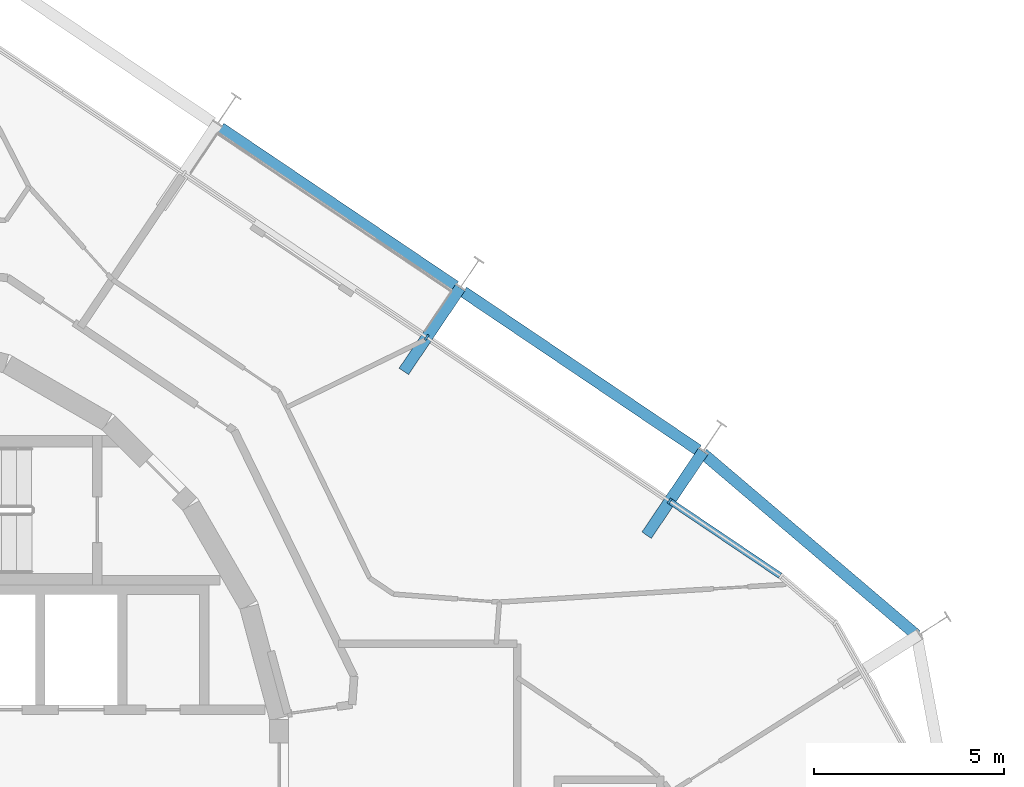
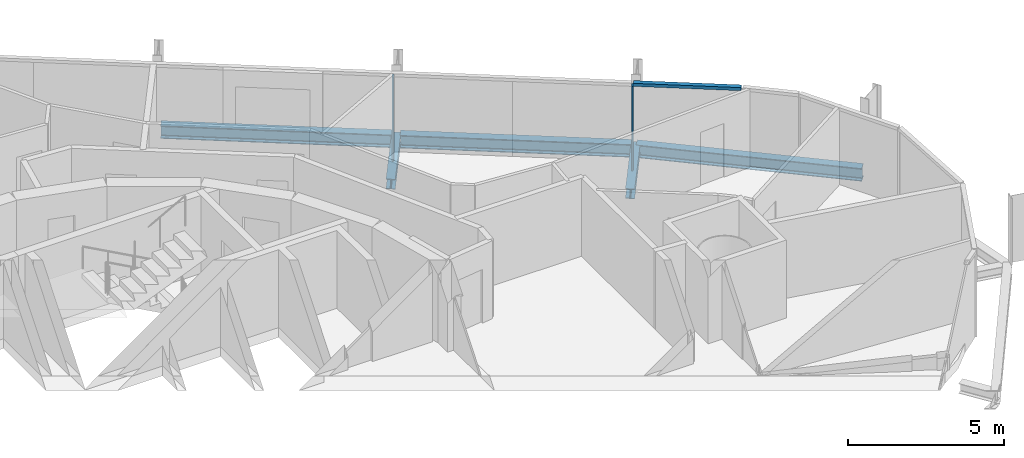
# One storey, part 9 of 17: 5 beams, 3 members, 2 elements without a shape of their own.
"""IFC4 building model written with IfcOpenShell, lengths in metres."""

import ifcopenshell
import ifcopenshell.guid

model = None  # the IFC model being written
_history = None  # IfcOwnerHistory: only IFC2X3 demands one
_inside = {}  # id of a spatial element -> (the spatial element, [elements in it])
_under = {}  # id of a project, library or spatial element -> (it, [spatial elements below it])
_declared = {}  # id of a project -> (the project, [libraries it declares])
_typed = {}  # id of a type object -> (the type object, [elements of that type])
_made_of = {}  # id of a material, layer set ... -> (it, [elements and type objects made of it])


def new_model(schema):
    """Start an empty IFC model of exactly this schema.

    Asked for "IFC4X3", IfcOpenShell would pick the latest addendum, in which some entities
    have other attributes; the version numbers below select the first issue.
    IFC2X3 requires an IfcOwnerHistory on every rooted entity: one is made here for all.
    """
    global model, _history
    if schema == "IFC4X3":
        model = ifcopenshell.file(schema_version=(4, 3, 0, 0))
    else:
        model = ifcopenshell.file(schema=schema)
    _inside.clear()
    _under.clear()
    _declared.clear()
    _typed.clear()
    _made_of.clear()
    _history = None
    if model.schema == "IFC2X3":
        org = make("IfcOrganization", Name="unknown")
        user = make(
            "IfcPersonAndOrganization",
            ThePerson=make("IfcPerson", FamilyName="unknown"),
            TheOrganization=org,
        )
        app = make(
            "IfcApplication",
            ApplicationDeveloper=org,
            Version="unknown",
            ApplicationFullName="unknown",
            ApplicationIdentifier="unknown",
        )
        _history = make(
            "IfcOwnerHistory",
            OwningUser=user,
            OwningApplication=app,
            ChangeAction="ADDED",
            CreationDate=0,
        )
    return model


def make(cls, **values):
    """One entity of the class cls with the attributes given. An attribute that is None is left unset."""
    return model.create_entity(
        cls, **{name: value for name, value in values.items() if value is not None}
    )


def rooted(cls, **values):
    """An entity with a GlobalId (a new one), such as an element, a storey or a relation."""
    return make(cls, GlobalId=ifcopenshell.guid.new(), OwnerHistory=_history, **values)


def si_unit(unit_type, name, prefix=None):
    """IfcSIUnit, for example si_unit("LENGTHUNIT", "METRE", prefix="MILLI")."""
    return make("IfcSIUnit", UnitType=unit_type, Prefix=prefix, Name=name)


def assignment(units):
    """IfcUnitAssignment: the units of a project."""
    return None if units is None else make("IfcUnitAssignment", Units=units)


def point(xyz):
    """IfcCartesianPoint."""
    return None if xyz is None else make("IfcCartesianPoint", Coordinates=xyz)


def direction(xyz):
    """IfcDirection."""
    return None if xyz is None else make("IfcDirection", DirectionRatios=xyz)


def frame(location, z_axis=None, x_axis=None):
    """IfcAxis2Placement3D, a coordinate frame: its origin and axes. An axis left out is left unset."""
    return make(
        "IfcAxis2Placement3D",
        Location=point(location),
        Axis=direction(z_axis),
        RefDirection=direction(x_axis),
    )


def frame_2d(location, x_axis=None):
    """IfcAxis2Placement2D, a coordinate frame in the plane: its origin and x axis."""
    return make(
        "IfcAxis2Placement2D", Location=point(location), RefDirection=direction(x_axis)
    )


def origin():
    """The frame at (0, 0, 0) with its axes left unset."""
    return frame((0.0, 0.0, 0.0))


def origin_2d():
    """The frame at (0, 0) in the plane with its x axis left unset."""
    return frame_2d((0.0, 0.0))


def place(relative_to, where):
    """IfcLocalPlacement: puts the frame where relative to a parent placement (None: the world)."""
    return make(
        "IfcLocalPlacement", PlacementRelTo=relative_to, RelativePlacement=where
    )


def context(
    kind, dimensions, precision=None, world=None, true_north=None, identifier=None
):
    """IfcGeometricRepresentationContext, for example the 3D "Model" context."""
    return make(
        "IfcGeometricRepresentationContext",
        ContextIdentifier=identifier,
        ContextType=kind,
        CoordinateSpaceDimension=dimensions,
        Precision=precision,
        WorldCoordinateSystem=world,
        TrueNorth=true_north,
    )


def subcontext(parent, identifier, kind, view, scale=None):
    """IfcGeometricRepresentationSubContext, for example "Body" below "Model"."""
    return make(
        "IfcGeometricRepresentationSubContext",
        ContextIdentifier=identifier,
        ContextType=kind,
        ParentContext=parent,
        TargetScale=scale,
        TargetView=view,
    )


def project(units=None, contexts=None):
    """IfcProject with its units and contexts."""
    return rooted(
        "IfcProject",
        Name="project",
        RepresentationContexts=contexts,
        UnitsInContext=assignment(units),
    )


def spatial(cls, under=None, at=None, **own):
    """A site, building, storey or space (cls), placed at a placement, below another one or the project."""
    s = rooted(cls, ObjectPlacement=at, **own)
    if under is not None:
        _under.setdefault(under.id(), (under, []))[1].append(s)
    return s


def profile(cls, at=None, kind="AREA", **sizes):
    """A parametric profile (cls). Its sizes go by their IFC names, for example OverallWidth=200.0."""
    return make(cls, ProfileType=kind, Position=at, **sizes)


def rectangle(**sizes):
    """IfcRectangleProfileDef."""
    return profile("IfcRectangleProfileDef", **sizes)


def i_section(**sizes):
    """IfcIShapeProfileDef."""
    return profile("IfcIShapeProfileDef", **sizes)


def extrude(swept, where, along, depth):
    """IfcExtrudedAreaSolid: the profile swept, set in the frame where, extruded along a direction by depth."""
    return make(
        "IfcExtrudedAreaSolid",
        SweptArea=swept,
        Position=where,
        ExtrudedDirection=direction(along),
        Depth=depth,
    )


def shape(context_of_items, identifier, shape_type, items):
    """IfcShapeRepresentation: the items that make up one representation, for example the "Body"."""
    return make(
        "IfcShapeRepresentation",
        ContextOfItems=context_of_items,
        RepresentationIdentifier=identifier,
        RepresentationType=shape_type,
        Items=items,
    )


def material(Name=None, Category=None):
    """IfcMaterial."""
    return make("IfcMaterial", Name=Name, Category=Category)


def layer(
    of_material, thickness, ventilated=None, Name=None, Category=None, Priority=None
):
    """IfcMaterialLayer: one layer of a wall or slab, of a material (None: an air gap)."""
    return make(
        "IfcMaterialLayer",
        Material=of_material,
        LayerThickness=thickness,
        IsVentilated=ventilated,
        Name=Name,
        Category=Category,
        Priority=Priority,
    )


def layer_set(layers, Name=None):
    """IfcMaterialLayerSet."""
    return make("IfcMaterialLayerSet", MaterialLayers=layers, LayerSetName=Name)


def material_profile(
    of_material, cross_section, Name=None, Category=None, Priority=None
):
    """IfcMaterialProfile: a cross section and its material."""
    return make(
        "IfcMaterialProfile",
        Name=Name,
        Material=of_material,
        Profile=cross_section,
        Priority=Priority,
        Category=Category,
    )


def profile_set(profiles, Name=None, composite=None):
    """IfcMaterialProfileSet."""
    return make(
        "IfcMaterialProfileSet",
        Name=Name,
        MaterialProfiles=profiles,
        CompositeProfile=composite,
    )


def made_of(thing, what):
    """Note that an element or type object is made of a material, layer set ...; save() writes the relation."""
    if what is not None:
        _made_of.setdefault(what.id(), (what, []))[1].append(thing)
    return thing


def type_object(cls, material=None, **own):
    """A type object (cls), such as IfcWallType, which elements share."""
    return made_of(rooted(cls, **own), material)


def element(
    cls,
    number,
    at=None,
    inside=None,
    cuts=None,
    type_object=None,
    material=None,
    context=None,
    identifier="Body",
    shape_type=None,
    held_by="IfcProductDefinitionShape",
    body=None,
    shapes=None,
    **own,
):
    """One element of the class cls, such as IfcWall. Its Tag is "e" and its number.

    at: its placement. inside: the storey or other place that contains it. cuts: it is an
    opening in that element (IfcRelVoidsElement). A single representation is given by context,
    identifier, shape_type and body (its items); several are given by shapes. held_by: the class
    of the entity that holds the representations. save() writes the other relations.
    """
    e = rooted(cls, Tag="e%d" % number, ObjectPlacement=at, **own)
    if body is not None:
        shapes = [shape(context, identifier, shape_type, body)]
    if shapes is not None:
        e.Representation = make(held_by, Representations=shapes)
    if inside is not None:
        _inside.setdefault(inside.id(), (inside, []))[1].append(e)
    if cuts is not None:
        rooted(
            "IfcRelVoidsElement", RelatingBuildingElement=cuts, RelatedOpeningElement=e
        )
    if type_object is not None:
        _typed.setdefault(type_object.id(), (type_object, []))[1].append(e)
    return made_of(e, material)


def aggregate(whole, parts):
    """IfcRelAggregates: a whole, such as a stair, and the parts it consists of."""
    return rooted("IfcRelAggregates", RelatingObject=whole, RelatedObjects=parts)


def save(model, path):
    """Write the relations noted so far, then the file.

    IfcRelAggregates (storeys below a building ...), IfcRelContainedInSpatialStructure (elements
    in a storey), IfcRelDefinesByType, IfcRelAssociatesMaterial and IfcRelDeclares: one each for
    every whole, place, type object, material and project.
    """
    for whole, parts in _under.values():
        aggregate(whole, parts)
    for where, things in _inside.values():
        rooted(
            "IfcRelContainedInSpatialStructure",
            RelatedElements=things,
            RelatingStructure=where,
        )
    for kind, things in _typed.values():
        rooted("IfcRelDefinesByType", RelatedObjects=things, RelatingType=kind)
    for what, things in _made_of.values():
        rooted("IfcRelAssociatesMaterial", RelatedObjects=things, RelatingMaterial=what)
    for by, libraries in _declared.values():
        rooted("IfcRelDeclares", RelatingContext=by, RelatedDefinitions=libraries)
    model.write(path)


model = new_model("IFC4")

# Units and contexts
model_context = context("Model", 3, precision=1e-05, world=origin(), true_north=direction((0.0, 1.0)))
body_context = subcontext(model_context, "Body", "Model", "MODEL_VIEW")
ifc_project = project(units=[si_unit("LENGTHUNIT", "METRE"), si_unit("AREAUNIT", "SQUARE_METRE"), si_unit("VOLUMEUNIT", "CUBIC_METRE"), si_unit("PLANEANGLEUNIT", "RADIAN"), si_unit("MASSUNIT", "GRAM", prefix="KILO")], contexts=[model_context])

# Site, building, storey
site_placement = place(None, origin())
site = spatial("IfcSite", under=ifc_project, at=site_placement, CompositionType="ELEMENT")
building_placement = place(site_placement, origin())
building = spatial("IfcBuilding", under=site, at=building_placement, Name="Spindle Arch Residences", CompositionType="ELEMENT")
storey_placement = place(building_placement, frame((0.0, 0.0, 216.39990234375)))
storey = spatial("IfcBuildingStorey", under=building, at=storey_placement, Name="L55", CompositionType="ELEMENT", Elevation=216.39990234375)

# Curtain wall, members
ifc_material_1 = material(Name="Aluminium bronze unitised frame with tinted glass", Category="aluminium")
ifc_layer_1 = layer(ifc_material_1, 0.159912109375)
ifc_layer_set_1 = layer_set([ifc_layer_1], Name="CW-C typical residential unitised wall")
curtain_wall_type_1 = type_object("IfcCurtainWallType", Name="CW-C typical residential unitised wall", PredefinedType="NOTDEFINED", material=ifc_layer_set_1)
curtain_wall_1_placement = place(storey_placement, origin())
curtain_wall_1 = element("IfcCurtainWall", 1, at=curtain_wall_1_placement, inside=storey, type_object=curtain_wall_type_1, Name="CW-C L55 run 2", PredefinedType="NOTDEFINED")
ifc_material_2 = material(Name="Aluminium bronze anodised mullion", Category="aluminium")
ifc_material_profile_1 = material_profile(ifc_material_2, rectangle(XDim=0.159912109375, YDim=0.06005859375, at=origin_2d()), Name="MU 60x160")
ifc_profile_set_1 = profile_set([ifc_material_profile_1], Name="Aluminium bronze anodised mullion")
member_type_1 = type_object("IfcMemberType", Name="Bronze mullion 60x160", PredefinedType="MULLION", material=ifc_profile_set_1)
member_1_placement = place(storey_placement, frame((21.905029296875, 7.25146484375, -0.3798828125), z_axis=(0.0, 0.0, 1.0), x_axis=(-0.559192903471, -0.829037572555, 0.0)))
member_1 = element("IfcMember", 2, at=member_1_placement, type_object=member_type_1, Name="CW-C mullion 05", PredefinedType="MULLION", context=body_context, shape_type="SweptSolid", body=[
    extrude(rectangle(XDim=0.159912109375, YDim=0.06005859375, at=origin_2d()), origin(), (0.0, 0.0, 1.0), 3.31005859375),
])
member_2_placement = place(storey_placement, frame((15.526611328125, 11.5537109375, -0.3798828125), z_axis=(0.0, 0.0, 1.0), x_axis=(-0.559192903471, -0.829037572555, 0.0)))
member_2 = element("IfcMember", 3, at=member_2_placement, type_object=member_type_1, Name="CW-C mullion 06", PredefinedType="MULLION", context=body_context, shape_type="SweptSolid", body=[
    extrude(rectangle(XDim=0.159912109375, YDim=0.06005859375, at=origin_2d()), origin(), (0.0, 0.0, 1.0), 3.31005859375),
])
aggregate(curtain_wall_1, [member_1, member_2])

# Curtain wall, member
ifc_material_3 = material(Name="Aluminium bronze unitised frame with tinted glass", Category="aluminium")
ifc_layer_2 = layer(ifc_material_3, 0.159912109375)
ifc_layer_set_2 = layer_set([ifc_layer_2], Name="CW-D corner wall on the fillet arcs")
curtain_wall_type_2 = type_object("IfcCurtainWallType", Name="CW-D corner wall on the fillet arcs", PredefinedType="NOTDEFINED", material=ifc_layer_set_2)
curtain_wall_2_placement = place(storey_placement, origin())
curtain_wall_2 = element("IfcCurtainWall", 4, at=curtain_wall_2_placement, inside=storey, type_object=curtain_wall_type_2, Name="CW-D L55 run 1", PredefinedType="NOTDEFINED")
ifc_material_4 = material(Name="Aluminium bronze anodised transom", Category="aluminium")
ifc_material_profile_2 = material_profile(ifc_material_4, rectangle(XDim=0.159912109375, YDim=0.1201171875, at=origin_2d()), Name="TR 120x160")
ifc_profile_set_2 = profile_set([ifc_material_profile_2], Name="Aluminium bronze anodised transom")
member_type_2 = type_object("IfcMemberType", Name="Bronze transom 120x160", PredefinedType="USERDEFINED", material=ifc_profile_set_2)
member_3_placement = place(storey_placement, frame((24.805419921875, 5.295166015625, 2.989990234375), z_axis=(-0.829049362711, 0.559175423448, 0.0), x_axis=(-0.559175423448, -0.829049362711, 0.0)))
member_3 = element("IfcMember", 5, at=member_3_placement, type_object=member_type_2, Name="CW-D transom 06", ObjectType="TRANSOM", PredefinedType="USERDEFINED", context=body_context, shape_type="SweptSolid", body=[
    extrude(rectangle(XDim=0.159912109375, YDim=0.1201171875, at=origin_2d()), origin(), (0.0, 0.0, 1.0), 3.468505859375),
])
aggregate(curtain_wall_2, [member_3])

# Beams
ifc_material_5 = material(Name="Steel S460ML, intumescent coating R 120", Category="steel")
ifc_material_profile_3 = material_profile(ifc_material_5, i_section(OverallWidth=0.300048828125, OverallDepth=0.5, WebThickness=0.014404296875, FlangeThickness=0.028076171875, FilletRadius=0.027099609375, at=origin_2d()), Name="HEB 500")
ifc_profile_set_3 = profile_set([ifc_material_profile_3], Name="Steel S460ML, intumescent coating R 120")
beam_type_1 = type_object("IfcBeamType", Name="Exoskeleton edge beam HEB 500", PredefinedType="BEAM", material=ifc_profile_set_3)
beam_placement = place(storey_placement, frame((28.39208984375, 3.72998046875, -0.6298828125), z_axis=(-0.761813327651, 0.647796614543, 0.0), x_axis=(-0.647796614543, -0.761813327651, 0.0)))
element("IfcBeam", 6, at=beam_placement, inside=storey, type_object=beam_type_1, Name="Exoskeleton edge beam 5", PredefinedType="BEAM", context=body_context, shape_type="SweptSolid", body=[
    extrude(i_section(OverallWidth=0.300048828125, OverallDepth=0.5, WebThickness=0.014404296875, FlangeThickness=0.028076171875, FilletRadius=0.027099609375, at=origin_2d()), origin(), (0.0, 0.0, 1.0), 7.36376953125),
])
for number, where, z_axis, x_axis, name in (
    (7, (22.65283203125, 8.592529296875, -0.6298828125), (-0.829031763913, 0.55920151504, 0.0), (-0.55920151504, -0.829031763913, 0.0), "Exoskeleton edge beam 6"),
    (8, (16.2744140625, 12.894775390625, -0.6298828125), (-0.829031763913, 0.55920151504, 0.0), (-0.55920151504, -0.829031763913, 0.0), "Exoskeleton edge beam 7"),
):
    element("IfcBeam", number, at=place(storey_placement, frame(where, z_axis=z_axis, x_axis=x_axis)), inside=storey, type_object=beam_type_1, Name=name, PredefinedType="BEAM", context=body_context, shape_type="SweptSolid", body=[
        extrude(i_section(OverallWidth=0.300048828125, OverallDepth=0.5, WebThickness=0.014404296875, FlangeThickness=0.028076171875, FilletRadius=0.027099609375, at=origin_2d()), origin(), (0.0, 0.0, 1.0), 7.433837890625),
    ])
ifc_material_6 = material(Name="Steel S460ML, intumescent coating R 120", Category="steel")
ifc_material_profile_4 = material_profile(ifc_material_6, i_section(OverallWidth=0.300048828125, OverallDepth=0.389892578125, WebThickness=0.010986328125, FlangeThickness=0.01904296875, FilletRadius=0.027099609375, at=origin_2d()), Name="HEA 400")
ifc_profile_set_4 = profile_set([ifc_material_profile_4], Name="Steel S460ML, intumescent coating R 120")
beam_type_2 = type_object("IfcBeamType", Name="Floor outrigger HEA 400", PredefinedType="BEAM", material=ifc_profile_set_4)
for number, where, z_axis, x_axis, name in (
    (9, (22.782958984375, 8.552978515625, -0.574951171875), (-0.559199099546, -0.829033393216, 0.0), (0.829033393216, -0.559199099546, 0.0), "Floor outrigger 6"),
    (10, (16.404541015625, 12.855224609375, -0.574951171875), (-0.559199099546, -0.829033393216, 0.0), (0.829033393216, -0.559199099546, 0.0), "Floor outrigger 7"),
):
    element("IfcBeam", number, at=place(storey_placement, frame(where, z_axis=z_axis, x_axis=x_axis)), inside=storey, type_object=beam_type_2, Name=name, PredefinedType="BEAM", context=body_context, shape_type="SweptSolid", body=[
        extrude(i_section(OverallWidth=0.300048828125, OverallDepth=0.389892578125, WebThickness=0.010986328125, FlangeThickness=0.01904296875, FilletRadius=0.027099609375, at=origin_2d()), origin(), (0.0, 0.0, 1.0), 2.650146484375),
    ])

save(model, "model.ifc")
